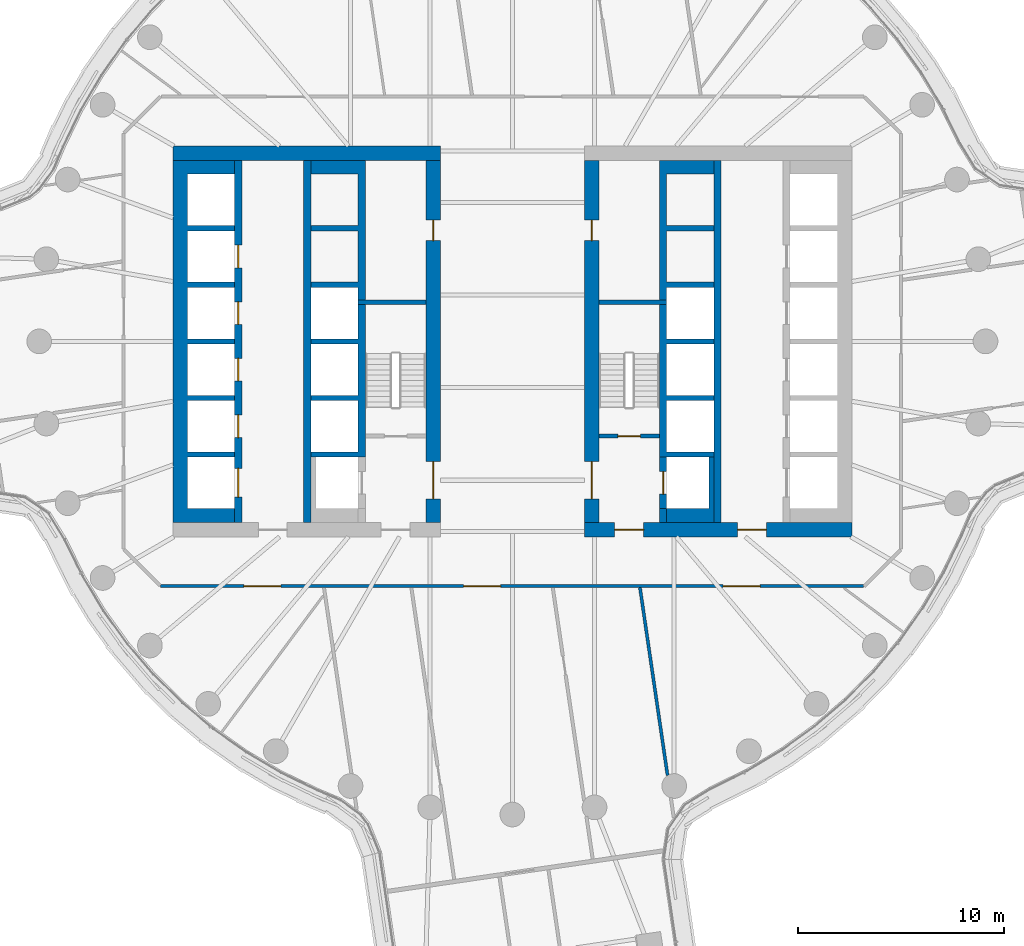
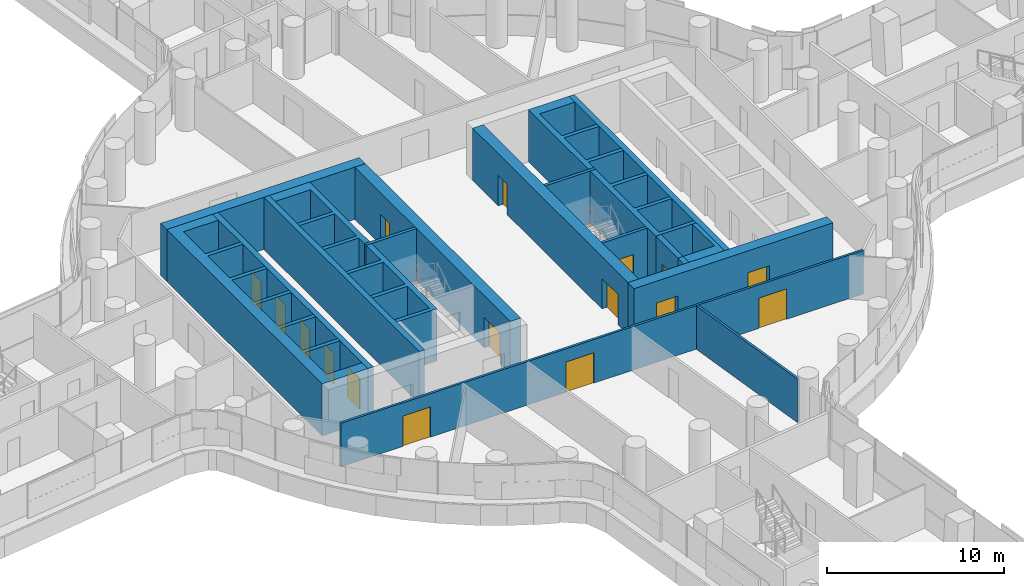
# One storey, part 21 of 31: 18 walls, 16 doors, 16 openings.
"""IFC4 building model written with IfcOpenShell, lengths in metres."""

from ifc_helpers import new_model, si_unit, direction, frame, frame_2d, origin, place, context, subcontext, project, spatial, polyline, rectangle, outline, extrude, material, layer, layer_set, type_object, element, fill, save


model = new_model("IFC4")

# Units and contexts
model_context = context("Model", 3, precision=1e-05, world=origin(), true_north=direction((0.0, 1.0)))
body_context = subcontext(model_context, "Body", "Model", "MODEL_VIEW")
ifc_project = project(units=[si_unit("LENGTHUNIT", "METRE"), si_unit("AREAUNIT", "SQUARE_METRE"), si_unit("VOLUMEUNIT", "CUBIC_METRE"), si_unit("PLANEANGLEUNIT", "RADIAN"), si_unit("MASSUNIT", "GRAM", prefix="KILO")], contexts=[model_context])

# Site, building, storey
site_placement = place(None, origin())
site = spatial("IfcSite", under=ifc_project, at=site_placement, CompositionType="ELEMENT")
building_placement = place(site_placement, origin())
building = spatial("IfcBuilding", under=site, at=building_placement, Name="Tamarind Cross Interchange Tower", CompositionType="ELEMENT")
storey_placement = place(building_placement, frame((0.0, 0.0, 64.0)))
storey = spatial("IfcBuildingStorey", under=building, at=storey_placement, Name="L14", CompositionType="ELEMENT", Elevation=64.0)

# Walls
ifc_material_1 = material(Name="Concrete C80", Category="concrete")
ifc_layer_1 = layer(ifc_material_1, 0.699951171875)
ifc_layer_set_1 = layer_set([ifc_layer_1], Name="Concrete C80")
wall_type_1 = type_object("IfcWallType", Name="Core wall 700 mm Concrete C80", PredefinedType="SHEAR", material=ifc_layer_set_1)
wall_1_placement = place(storey_placement, origin())
element("IfcWall", 1, at=wall_1_placement, inside=storey, type_object=wall_type_1, Name="Core wall CWL-L14-W-A", PredefinedType="SHEAR", context=body_context, shape_type="SweptSolid", body=[
    extrude(outline(polyline([(-13.5, -8.800048828125), (-13.5, -8.125), (-15.800048828125, -8.125), (-15.800048828125, -5.625), (-13.5, -5.625), (-13.5, -5.375), (-15.800048828125, -5.375), (-15.800048828125, -2.875), (-13.5, -2.875), (-13.5, -2.625), (-15.800048828125, -2.625), (-15.800048828125, -0.125), (-13.5, -0.125), (-13.5, 0.125), (-15.800048828125, 0.125), (-15.800048828125, 2.625), (-13.5, 2.625), (-13.5, 2.875), (-15.800048828125, 2.875), (-15.800048828125, 5.375), (-13.5, 5.375), (-13.5, 5.625), (-15.800048828125, 5.625), (-15.800048828125, 8.125), (-13.5, 8.125), (-13.5, 8.800048828125), (-15.800048828125, 8.800048828125), (-16.5, 8.800048828125), (-16.5, -8.800048828125), (-15.800048828125, -8.800048828125), (-13.5, -8.800048828125)])), origin(), (0.0, 0.0, 1.0), 3.610107421875),
])
wall_2_placement = place(storey_placement, frame((-16.5, 9.14990234375, 0.0), z_axis=(0.0, 0.0, 1.0), x_axis=(1.0, 0.0, 0.0)))
element("IfcWall", 2, at=wall_2_placement, inside=storey, type_object=wall_type_1, Name="Core wall CWL-L14-W-NE", PredefinedType="SHEAR", context=body_context, shape_type="SweptSolid", body=[
    extrude(rectangle(XDim=13.0, YDim=0.699951171875, at=frame_2d((6.5, 0.0))), origin(), (0.0, 0.0, 1.0), 3.610107421875),
])

# Wall, openings, doors
wall_3_placement = place(storey_placement, frame((-3.85009765625, -8.800048828125, 0.0), z_axis=(0.0, 0.0, 1.0), x_axis=(0.0, 1.0, 0.0)))
wall_3 = element("IfcWall", 3, at=wall_3_placement, inside=storey, type_object=wall_type_1, Name="Core wall CWL-L14-W-IN", PredefinedType="SHEAR", context=body_context, shape_type="SweptSolid", body=[
    extrude(rectangle(XDim=17.60009765625, YDim=0.699951171875, at=frame_2d((8.800048828125, 0.0))), origin(), (0.0, 0.0, 1.0), 3.610107421875),
])
opening_1_placement = place(wall_3_placement, frame((1.14990234375, 0.0, 0.0)))
opening_1 = element("IfcOpeningElement", 4, at=opening_1_placement, cuts=wall_3, Name="Opening DCW4", PredefinedType="OPENING", context=body_context, shape_type="SweptSolid", body=[
    extrude(rectangle(XDim=1.800048828125, YDim=2.10009765625, at=frame_2d((0.89990234375, 1.050048828125))), frame((0.0, 0.35986328125, 0.0), z_axis=(0.0, -1.0, 0.0), x_axis=(1.0, 0.0, 0.0)), (0.0, 0.0, 1.0), 0.719970703125),
])
opening_2_placement = place(wall_3_placement, frame((13.699951171875, 0.0, 0.0)))
opening_2 = element("IfcOpeningElement", 5, at=opening_2_placement, cuts=wall_3, Name="Opening DCW5", PredefinedType="OPENING", context=body_context, shape_type="SweptSolid", body=[
    extrude(rectangle(XDim=1.0, YDim=2.10009765625, at=frame_2d((0.5, 1.050048828125))), frame((0.0, 0.35986328125, 0.0), z_axis=(0.0, -1.0, 0.0), x_axis=(1.0, 0.0, 0.0)), (0.0, 0.0, 1.0), 0.719970703125),
])
ifc_material_2 = material(Name="Steel, fire-resisting", Category="steel")
door_type_1 = type_object("IfcDoorType", Name="Core fire door 1000 x 2100 FD90", OperationType="SINGLE_SWING_LEFT", PredefinedType="DOOR", material=ifc_material_2)
door_1_placement = place(opening_2_placement, origin())
door_1 = element("IfcDoor", 6, at=door_1_placement, inside=storey, type_object=door_type_1, Name="L14 riser room door", OperationType="SINGLE_SWING_LEFT", OverallHeight=2.10009765625, OverallWidth=1.0, PredefinedType="DOOR", context=body_context, shape_type="SweptSolid", body=[
    extrude(rectangle(XDim=1.0, YDim=2.10009765625, at=frame_2d((0.5, 1.050048828125))), frame((0.0, 0.02490234375, 0.0), z_axis=(0.0, -1.0, 0.0), x_axis=(1.0, 0.0, 0.0)), (0.0, 0.0, 1.0), 0.050048828125),
])
fill(opening_2, door_1)
door_type_2 = type_object("IfcDoorType", Name="Core fire door 1800 x 2100 FD90", OperationType="SINGLE_SWING_LEFT", PredefinedType="DOOR", material=ifc_material_2)
door_2_placement = place(opening_1_placement, origin())
door_2 = element("IfcDoor", 7, at=door_2_placement, inside=storey, type_object=door_type_2, Name="L14 firefighting lobby door", OperationType="SINGLE_SWING_LEFT", OverallHeight=2.10009765625, OverallWidth=1.800048828125, PredefinedType="DOOR", context=body_context, shape_type="SweptSolid", body=[
    extrude(rectangle(XDim=1.800048828125, YDim=2.10009765625, at=frame_2d((0.89990234375, 1.050048828125))), frame((0.0, 0.02490234375, 0.0), z_axis=(0.0, -1.0, 0.0), x_axis=(1.0, 0.0, 0.0)), (0.0, 0.0, 1.0), 0.050048828125),
])
fill(opening_1, door_2)

wall_4_placement = place(storey_placement, frame((16.5, -9.14990234375, 0.0), z_axis=(0.0, 0.0, 1.0), x_axis=(-1.0, 0.0, 0.0)))
wall_4 = element("IfcWall", 8, at=wall_4_placement, inside=storey, type_object=wall_type_1, Name="Core wall CWL-L14-E-S", PredefinedType="SHEAR", context=body_context, shape_type="SweptSolid", body=[
    extrude(rectangle(XDim=13.0, YDim=0.699951171875, at=frame_2d((6.5, 0.0))), origin(), (0.0, 0.0, 1.0), 3.610107421875),
])
opening_3_placement = place(wall_4_placement, frame((4.14990234375, 0.0, 0.0)))
opening_3 = element("IfcOpeningElement", 9, at=opening_3_placement, cuts=wall_4, Name="Opening DCE1", PredefinedType="OPENING", context=body_context, shape_type="SweptSolid", body=[
    extrude(rectangle(XDim=1.39990234375, YDim=2.10009765625, at=frame_2d((0.699951171875, 1.050048828125))), frame((0.0, 0.35986328125, 0.0), z_axis=(0.0, -1.0, 0.0), x_axis=(1.0, 0.0, 0.0)), (0.0, 0.0, 1.0), 0.719970703125),
])
opening_4_placement = place(wall_4_placement, frame((10.125, 0.0, 0.0)))
opening_4 = element("IfcOpeningElement", 10, at=opening_4_placement, cuts=wall_4, Name="Opening DCEF", PredefinedType="OPENING", context=body_context, shape_type="SweptSolid", body=[
    extrude(rectangle(XDim=1.39990234375, YDim=2.10009765625, at=frame_2d((0.699951171875, 1.050048828125))), frame((0.0, 0.35986328125, 0.0), z_axis=(0.0, -1.0, 0.0), x_axis=(1.0, 0.0, 0.0)), (0.0, 0.0, 1.0), 0.719970703125),
])
door_type_3 = type_object("IfcDoorType", Name="Core fire door 1400 x 2100 FD90", OperationType="SINGLE_SWING_LEFT", PredefinedType="DOOR", material=ifc_material_2)
door_3_placement = place(opening_3_placement, origin())
door_3 = element("IfcDoor", 11, at=door_3_placement, inside=storey, type_object=door_type_3, Name="L14 lift lobby door", OperationType="SINGLE_SWING_LEFT", OverallHeight=2.10009765625, OverallWidth=1.39990234375, PredefinedType="DOOR", context=body_context, shape_type="SweptSolid", body=[
    extrude(rectangle(XDim=1.39990234375, YDim=2.10009765625, at=frame_2d((0.699951171875, 1.050048828125))), frame((0.0, 0.02490234375, 0.0), z_axis=(0.0, -1.0, 0.0), x_axis=(1.0, 0.0, 0.0)), (0.0, 0.0, 1.0), 0.050048828125),
])
fill(opening_3, door_3)
door_4_placement = place(opening_4_placement, origin())
door_4 = element("IfcDoor", 12, at=door_4_placement, inside=storey, type_object=door_type_3, Name="L14 firefighting lobby end door", OperationType="SINGLE_SWING_LEFT", OverallHeight=2.10009765625, OverallWidth=1.39990234375, PredefinedType="DOOR", context=body_context, shape_type="SweptSolid", body=[
    extrude(rectangle(XDim=1.39990234375, YDim=2.10009765625, at=frame_2d((0.699951171875, 1.050048828125))), frame((0.0, 0.02490234375, 0.0), z_axis=(0.0, -1.0, 0.0), x_axis=(1.0, 0.0, 0.0)), (0.0, 0.0, 1.0), 0.050048828125),
])
fill(opening_4, door_4)

wall_5_placement = place(storey_placement, frame((3.85009765625, -8.800048828125, 0.0), z_axis=(0.0, 0.0, 1.0), x_axis=(0.0, 1.0, 0.0)))
wall_5 = element("IfcWall", 13, at=wall_5_placement, inside=storey, type_object=wall_type_1, Name="Core wall CWL-L14-E-IN", PredefinedType="SHEAR", context=body_context, shape_type="SweptSolid", body=[
    extrude(rectangle(XDim=17.60009765625, YDim=0.699951171875, at=frame_2d((8.800048828125, 0.0))), origin(), (0.0, 0.0, 1.0), 3.610107421875),
])
opening_5_placement = place(wall_5_placement, frame((1.14990234375, 0.0, 0.0)))
opening_5 = element("IfcOpeningElement", 14, at=opening_5_placement, cuts=wall_5, Name="Opening DCE4", PredefinedType="OPENING", context=body_context, shape_type="SweptSolid", body=[
    extrude(rectangle(XDim=1.800048828125, YDim=2.10009765625, at=frame_2d((0.89990234375, 1.050048828125))), frame((0.0, 0.35986328125, 0.0), z_axis=(0.0, -1.0, 0.0), x_axis=(1.0, 0.0, 0.0)), (0.0, 0.0, 1.0), 0.719970703125),
])
opening_6_placement = place(wall_5_placement, frame((13.699951171875, 0.0, 0.0)))
opening_6 = element("IfcOpeningElement", 15, at=opening_6_placement, cuts=wall_5, Name="Opening DCE5", PredefinedType="OPENING", context=body_context, shape_type="SweptSolid", body=[
    extrude(rectangle(XDim=1.0, YDim=2.10009765625, at=frame_2d((0.5, 1.050048828125))), frame((0.0, 0.35986328125, 0.0), z_axis=(0.0, -1.0, 0.0), x_axis=(1.0, 0.0, 0.0)), (0.0, 0.0, 1.0), 0.719970703125),
])
door_5_placement = place(opening_6_placement, origin())
door_5 = element("IfcDoor", 16, at=door_5_placement, inside=storey, type_object=door_type_1, Name="L14 riser room door", OperationType="SINGLE_SWING_LEFT", OverallHeight=2.10009765625, OverallWidth=1.0, PredefinedType="DOOR", context=body_context, shape_type="SweptSolid", body=[
    extrude(rectangle(XDim=1.0, YDim=2.10009765625, at=frame_2d((0.5, 1.050048828125))), frame((0.0, 0.02490234375, 0.0), z_axis=(0.0, -1.0, 0.0), x_axis=(1.0, 0.0, 0.0)), (0.0, 0.0, 1.0), 0.050048828125),
])
fill(opening_6, door_5)
door_6_placement = place(opening_5_placement, origin())
door_6 = element("IfcDoor", 17, at=door_6_placement, inside=storey, type_object=door_type_2, Name="L14 firefighting lobby door", OperationType="SINGLE_SWING_LEFT", OverallHeight=2.10009765625, OverallWidth=1.800048828125, PredefinedType="DOOR", context=body_context, shape_type="SweptSolid", body=[
    extrude(rectangle(XDim=1.800048828125, YDim=2.10009765625, at=frame_2d((0.89990234375, 1.050048828125))), frame((0.0, 0.02490234375, 0.0), z_axis=(0.0, -1.0, 0.0), x_axis=(1.0, 0.0, 0.0)), (0.0, 0.0, 1.0), 0.050048828125),
])
fill(opening_5, door_6)

# Walls
ifc_layer_2 = layer(ifc_material_1, 0.199951171875)
ifc_layer_set_2 = layer_set([ifc_layer_2], Name="Concrete C80")
wall_type_2 = type_object("IfcWallType", Name="Core web wall 200 mm Concrete C80", PredefinedType="SHEAR", material=ifc_layer_set_2)
for number, where, z_axis, x_axis, name in (
    (18, (-7.5, 1.89990234375, 0.0), (0.0, 0.0, 1.0), (1.0, 0.0, 0.0), "Core wall CWL-L14-W-BD"),
    (19, (7.5, 1.89990234375, 0.0), (0.0, 0.0, 1.0), (-1.0, 0.0, 0.0), "Core wall CWL-L14-E-BD"),
):
    element("IfcWall", number, at=place(storey_placement, frame(where, z_axis=z_axis, x_axis=x_axis)), inside=storey, type_object=wall_type_2, Name=name, PredefinedType="SHEAR", context=body_context, shape_type="SweptSolid", body=[
        extrude(rectangle(XDim=3.300048828125, YDim=0.199951171875, at=frame_2d((1.64990234375, 0.0))), origin(), (0.0, 0.0, 1.0), 3.610107421875),
    ])
ifc_layer_3 = layer(ifc_material_1, 0.35009765625)
ifc_layer_set_3 = layer_set([ifc_layer_3], Name="Concrete C80")
wall_type_3 = type_object("IfcWallType", Name="Core web wall 350 mm Concrete C80", PredefinedType="SHEAR", material=ifc_layer_set_3)
wall_6_placement = place(storey_placement, origin())
element("IfcWall", 20, at=wall_6_placement, inside=storey, type_object=wall_type_3, Name="Core wall CWL-L14-W-BN", PredefinedType="SHEAR", context=body_context, shape_type="SweptSolid", body=[
    extrude(outline(polyline([(-9.800048828125, -5.375), (-9.800048828125, -5.625), (-7.5, -5.625), (-7.14990234375, -5.625), (-7.14990234375, 8.800048828125), (-7.5, 8.800048828125), (-9.800048828125, 8.800048828125), (-9.800048828125, 8.125), (-7.5, 8.125), (-7.5, 5.625), (-9.800048828125, 5.625), (-9.800048828125, 5.375), (-7.5, 5.375), (-7.5, 2.875), (-9.800048828125, 2.875), (-9.800048828125, 2.625), (-7.5, 2.625), (-7.5, 0.125), (-9.800048828125, 0.125), (-9.800048828125, -0.125), (-7.5, -0.125), (-7.5, -2.625), (-9.800048828125, -2.625), (-9.800048828125, -2.875), (-7.5, -2.875), (-7.5, -5.375), (-9.800048828125, -5.375)])), origin(), (0.0, 0.0, 1.0), 3.610107421875),
])

# Wall, openings, doors
wall_7_placement = place(storey_placement, frame((-13.324951171875, -8.800048828125, 0.0), z_axis=(0.0, 0.0, 1.0), x_axis=(0.0, 1.0, 0.0)))
wall_7 = element("IfcWall", 21, at=wall_7_placement, inside=storey, type_object=wall_type_3, Name="Core wall CWL-L14-W-LA", PredefinedType="SHEAR", context=body_context, shape_type="SweptSolid", body=[
    extrude(rectangle(XDim=17.60009765625, YDim=0.35009765625, at=frame_2d((8.800048828125, 0.0))), origin(), (0.0, 0.0, 1.0), 3.610107421875),
])
opening_7_placement = place(wall_7_placement, frame((1.22509765625, 0.0, 0.0)))
opening_7 = element("IfcOpeningElement", 22, at=opening_7_placement, cuts=wall_7, Name="Opening LD1L14", PredefinedType="OPENING", context=body_context, shape_type="SweptSolid", body=[
    extrude(rectangle(XDim=1.39990234375, YDim=2.10009765625, at=frame_2d((0.699951171875, 1.050048828125))), frame((0.0, 0.18505859375, 0.0), z_axis=(0.0, -1.0, 0.0), x_axis=(1.0, 0.0, 0.0)), (0.0, 0.0, 1.0), 0.3701171875),
])
opening_8_placement = place(wall_7_placement, frame((4.125, 0.0, 0.0)))
opening_8 = element("IfcOpeningElement", 23, at=opening_8_placement, cuts=wall_7, Name="Opening LD2L14", PredefinedType="OPENING", context=body_context, shape_type="SweptSolid", body=[
    extrude(rectangle(XDim=1.10009765625, YDim=2.10009765625, at=frame_2d((0.550048828125, 1.050048828125))), frame((0.0, 0.18505859375, 0.0), z_axis=(0.0, -1.0, 0.0), x_axis=(1.0, 0.0, 0.0)), (0.0, 0.0, 1.0), 0.3701171875),
])
opening_9_placement = place(wall_7_placement, frame((6.875, 0.0, 0.0)))
opening_9 = element("IfcOpeningElement", 24, at=opening_9_placement, cuts=wall_7, Name="Opening LD3L14", PredefinedType="OPENING", context=body_context, shape_type="SweptSolid", body=[
    extrude(rectangle(XDim=1.10009765625, YDim=2.10009765625, at=frame_2d((0.550048828125, 1.050048828125))), frame((0.0, 0.18505859375, 0.0), z_axis=(0.0, -1.0, 0.0), x_axis=(1.0, 0.0, 0.0)), (0.0, 0.0, 1.0), 0.3701171875),
])
opening_10_placement = place(wall_7_placement, frame((9.625, 0.0, 0.0)))
opening_10 = element("IfcOpeningElement", 25, at=opening_10_placement, cuts=wall_7, Name="Opening LD4L14", PredefinedType="OPENING", context=body_context, shape_type="SweptSolid", body=[
    extrude(rectangle(XDim=1.10009765625, YDim=2.10009765625, at=frame_2d((0.550048828125, 1.050048828125))), frame((0.0, 0.18505859375, 0.0), z_axis=(0.0, -1.0, 0.0), x_axis=(1.0, 0.0, 0.0)), (0.0, 0.0, 1.0), 0.3701171875),
])
opening_11_placement = place(wall_7_placement, frame((12.375, 0.0, 0.0)))
opening_11 = element("IfcOpeningElement", 26, at=opening_11_placement, cuts=wall_7, Name="Opening LD5L14", PredefinedType="OPENING", context=body_context, shape_type="SweptSolid", body=[
    extrude(rectangle(XDim=1.10009765625, YDim=2.10009765625, at=frame_2d((0.550048828125, 1.050048828125))), frame((0.0, 0.18505859375, 0.0), z_axis=(0.0, -1.0, 0.0), x_axis=(1.0, 0.0, 0.0)), (0.0, 0.0, 1.0), 0.3701171875),
])
ifc_material_3 = material(Name="Stainless steel panel", Category="steel")
door_type_4 = type_object("IfcDoorType", Name="Lift landing door 1100 x 2100 E 120", OperationType="SLIDING_TO_LEFT", PredefinedType="DOOR", material=ifc_material_3)
door_7_placement = place(opening_8_placement, origin())
door_7 = element("IfcDoor", 27, at=door_7_placement, inside=storey, type_object=door_type_4, Name="L14 landing door LF2", OperationType="SLIDING_TO_LEFT", OverallHeight=2.10009765625, OverallWidth=1.10009765625, PredefinedType="DOOR", context=body_context, shape_type="SweptSolid", body=[
    extrude(rectangle(XDim=1.10009765625, YDim=2.10009765625, at=frame_2d((0.550048828125, 1.050048828125))), frame((0.0, 0.02490234375, 0.0), z_axis=(0.0, -1.0, 0.0), x_axis=(1.0, 0.0, 0.0)), (0.0, 0.0, 1.0), 0.050048828125),
])
fill(opening_8, door_7)
door_8_placement = place(opening_9_placement, origin())
door_8 = element("IfcDoor", 28, at=door_8_placement, inside=storey, type_object=door_type_4, Name="L14 landing door LF3", OperationType="SLIDING_TO_LEFT", OverallHeight=2.10009765625, OverallWidth=1.10009765625, PredefinedType="DOOR", context=body_context, shape_type="SweptSolid", body=[
    extrude(rectangle(XDim=1.10009765625, YDim=2.10009765625, at=frame_2d((0.550048828125, 1.050048828125))), frame((0.0, 0.02490234375, 0.0), z_axis=(0.0, -1.0, 0.0), x_axis=(1.0, 0.0, 0.0)), (0.0, 0.0, 1.0), 0.050048828125),
])
fill(opening_9, door_8)
door_9_placement = place(opening_10_placement, origin())
door_9 = element("IfcDoor", 29, at=door_9_placement, inside=storey, type_object=door_type_4, Name="L14 landing door LF4", OperationType="SLIDING_TO_LEFT", OverallHeight=2.10009765625, OverallWidth=1.10009765625, PredefinedType="DOOR", context=body_context, shape_type="SweptSolid", body=[
    extrude(rectangle(XDim=1.10009765625, YDim=2.10009765625, at=frame_2d((0.550048828125, 1.050048828125))), frame((0.0, 0.02490234375, 0.0), z_axis=(0.0, -1.0, 0.0), x_axis=(1.0, 0.0, 0.0)), (0.0, 0.0, 1.0), 0.050048828125),
])
fill(opening_10, door_9)
door_10_placement = place(opening_11_placement, origin())
door_10 = element("IfcDoor", 30, at=door_10_placement, inside=storey, type_object=door_type_4, Name="L14 landing door LF5", OperationType="SLIDING_TO_LEFT", OverallHeight=2.10009765625, OverallWidth=1.10009765625, PredefinedType="DOOR", context=body_context, shape_type="SweptSolid", body=[
    extrude(rectangle(XDim=1.10009765625, YDim=2.10009765625, at=frame_2d((0.550048828125, 1.050048828125))), frame((0.0, 0.02490234375, 0.0), z_axis=(0.0, -1.0, 0.0), x_axis=(1.0, 0.0, 0.0)), (0.0, 0.0, 1.0), 0.050048828125),
])
fill(opening_11, door_10)
door_type_5 = type_object("IfcDoorType", Name="Lift landing door 1400 x 2100 E 120", OperationType="SLIDING_TO_LEFT", PredefinedType="DOOR", material=ifc_material_3)
door_11_placement = place(opening_7_placement, origin())
door_11 = element("IfcDoor", 31, at=door_11_placement, inside=storey, type_object=door_type_5, Name="L14 landing door LF1", OperationType="SLIDING_TO_LEFT", OverallHeight=2.10009765625, OverallWidth=1.39990234375, PredefinedType="DOOR", context=body_context, shape_type="SweptSolid", body=[
    extrude(rectangle(XDim=1.39990234375, YDim=2.10009765625, at=frame_2d((0.699951171875, 1.050048828125))), frame((0.0, 0.02490234375, 0.0), z_axis=(0.0, -1.0, 0.0), x_axis=(1.0, 0.0, 0.0)), (0.0, 0.0, 1.0), 0.050048828125),
])
fill(opening_7, door_11)

# Walls
wall_8_placement = place(storey_placement, frame((-9.97509765625, -8.800048828125, 0.0), z_axis=(0.0, 0.0, 1.0), x_axis=(0.0, 1.0, 0.0)))
element("IfcWall", 32, at=wall_8_placement, inside=storey, type_object=wall_type_3, Name="Core wall CWL-L14-W-LB", PredefinedType="SHEAR", context=body_context, shape_type="SweptSolid", body=[
    extrude(rectangle(XDim=17.60009765625, YDim=0.35009765625, at=frame_2d((8.800048828125, 0.0))), origin(), (0.0, 0.0, 1.0), 3.610107421875),
])
wall_9_placement = place(storey_placement, origin())
element("IfcWall", 33, at=wall_9_placement, inside=storey, type_object=wall_type_3, Name="Core wall CWL-L14-E-BN", PredefinedType="SHEAR", context=body_context, shape_type="SweptSolid", body=[
    extrude(outline(polyline([(9.800048828125, -5.375), (7.5, -5.375), (7.5, -2.875), (9.800048828125, -2.875), (9.800048828125, -2.625), (7.5, -2.625), (7.5, -0.125), (9.800048828125, -0.125), (9.800048828125, 0.125), (7.5, 0.125), (7.5, 2.625), (9.800048828125, 2.625), (9.800048828125, 2.875), (7.5, 2.875), (7.5, 5.375), (9.800048828125, 5.375), (9.800048828125, 5.625), (7.5, 5.625), (7.5, 8.125), (9.800048828125, 8.125), (9.800048828125, 8.800048828125), (7.5, 8.800048828125), (7.14990234375, 8.800048828125), (7.14990234375, -5.625), (7.5, -5.625), (9.800048828125, -5.625), (9.800048828125, -5.375)])), origin(), (0.0, 0.0, 1.0), 3.610107421875),
])
wall_10_placement = place(storey_placement, origin())
element("IfcWall", 34, at=wall_10_placement, inside=storey, type_object=wall_type_3, Name="Core wall CWL-L14-E-BS", PredefinedType="SHEAR", context=body_context, shape_type="SweptSolid", body=[
    extrude(outline(polyline([(7.5, -8.125), (7.5, -8.800048828125), (9.800048828125, -8.800048828125), (9.800048828125, -8.125), (9.800048828125, -5.625), (9.550048828125, -5.625), (9.550048828125, -8.125), (7.5, -8.125)])), origin(), (0.0, 0.0, 1.0), 3.610107421875),
])
wall_11_placement = place(storey_placement, frame((7.324951171875, -8.800048828125, 0.0), z_axis=(0.0, 0.0, 1.0), x_axis=(0.0, 1.0, 0.0)))
element("IfcWall", 35, at=wall_11_placement, inside=storey, type_object=wall_type_3, Name="Core wall CWL-L14-E-BW", PredefinedType="SHEAR", context=body_context, shape_type="SweptSolid", body=[
    extrude(rectangle(XDim=0.675048828125, YDim=0.35009765625, at=frame_2d((0.33740234375, 0.0))), origin(), (0.0, 0.0, 1.0), 3.610107421875),
])
wall_12_placement = place(storey_placement, frame((9.97509765625, -8.800048828125, 0.0), z_axis=(0.0, 0.0, 1.0), x_axis=(0.0, 1.0, 0.0)))
element("IfcWall", 36, at=wall_12_placement, inside=storey, type_object=wall_type_3, Name="Core wall CWL-L14-E-LB", PredefinedType="SHEAR", context=body_context, shape_type="SweptSolid", body=[
    extrude(rectangle(XDim=17.60009765625, YDim=0.35009765625, at=frame_2d((8.800048828125, 0.0))), origin(), (0.0, 0.0, 1.0), 3.610107421875),
])

# Wall, opening, door
wall_13_placement = place(storey_placement, frame((7.324951171875, -8.125, 0.0), z_axis=(0.0, 0.0, 1.0), x_axis=(0.0, 1.0, 0.0)))
wall_13 = element("IfcWall", 37, at=wall_13_placement, inside=storey, type_object=wall_type_3, Name="Core wall CWL-L14-E-FF", PredefinedType="SHEAR", context=body_context, shape_type="SweptSolid", body=[
    extrude(rectangle(XDim=2.5, YDim=0.35009765625, at=frame_2d((1.25, 0.0))), origin(), (0.0, 0.0, 1.0), 3.610107421875),
])
opening_12_placement = place(wall_13_placement, frame((0.699951171875, 0.0, 0.0)))
opening_12 = element("IfcOpeningElement", 38, at=opening_12_placement, cuts=wall_13, Name="Opening LD19L14", PredefinedType="OPENING", context=body_context, shape_type="SweptSolid", body=[
    extrude(rectangle(XDim=1.10009765625, YDim=2.10009765625, at=frame_2d((0.550048828125, 1.050048828125))), frame((0.0, 0.18505859375, 0.0), z_axis=(0.0, -1.0, 0.0), x_axis=(1.0, 0.0, 0.0)), (0.0, 0.0, 1.0), 0.3701171875),
])
door_12_placement = place(opening_12_placement, origin())
door_12 = element("IfcDoor", 39, at=door_12_placement, inside=storey, type_object=door_type_4, Name="L14 landing door LF19", OperationType="SLIDING_TO_LEFT", OverallHeight=2.10009765625, OverallWidth=1.10009765625, PredefinedType="DOOR", context=body_context, shape_type="SweptSolid", body=[
    extrude(rectangle(XDim=1.10009765625, YDim=2.10009765625, at=frame_2d((0.550048828125, 1.050048828125))), frame((0.0, 0.02490234375, 0.0), z_axis=(0.0, -1.0, 0.0), x_axis=(1.0, 0.0, 0.0)), (0.0, 0.0, 1.0), 0.050048828125),
])
fill(opening_12, door_12)

# Wall
ifc_material_4 = material(Name="Gypsum board partition on steel studs", Category="steel")
ifc_layer_4 = layer(ifc_material_4, 0.14990234375)
ifc_layer_set_4 = layer_set([ifc_layer_4], Name="Gypsum board partition on steel studs")
wall_type_4 = type_object("IfcWallType", Name="Partition 150 mm EI 120", PredefinedType="PARTITIONING", material=ifc_layer_set_4)
wall_14_placement = place(storey_placement, frame((6.203125, -11.969970703125, 0.0), z_axis=(0.0, 0.0, 1.0), x_axis=(0.145327213245, -0.98938364707, 0.0)))
element("IfcWall", 40, at=wall_14_placement, inside=storey, type_object=wall_type_4, Name="Partition L14-022", PredefinedType="PARTITIONING", context=body_context, shape_type="SweptSolid", body=[
    extrude(rectangle(XDim=9.2294921875, YDim=0.14990234375, at=frame_2d((4.61474609375, 0.0))), origin(), (0.0, 0.0, 1.0), 3.010009765625),
])

# Wall, openings, doors
wall_15_placement = place(storey_placement, frame((-17.10009765625, -11.89990234375, 0.0), z_axis=(0.0, 0.0, 1.0), x_axis=(1.0, 0.0, 0.0)))
wall_15 = element("IfcWall", 41, at=wall_15_placement, inside=storey, type_object=wall_type_4, Name="Partition L14-038", PredefinedType="PARTITIONING", context=body_context, shape_type="SweptSolid", body=[
    extrude(rectangle(XDim=34.1650390625, YDim=0.14990234375, at=frame_2d((17.08251953125, 0.0))), origin(), (0.0, 0.0, 1.0), 3.010009765625),
])
opening_13_placement = place(wall_15_placement, frame((14.72998046875, 0.0, 0.0)))
opening_13 = element("IfcOpeningElement", 42, at=opening_13_placement, cuts=wall_15, Name="Opening D17", PredefinedType="OPENING", context=body_context, shape_type="SweptSolid", body=[
    extrude(rectangle(XDim=1.800048828125, YDim=2.10009765625, at=frame_2d((0.89990234375, 1.050048828125))), frame((0.0, 0.0849609375, 0.0), z_axis=(0.0, -1.0, 0.0), x_axis=(1.0, 0.0, 0.0)), (0.0, 0.0, 1.0), 0.169921875),
])
opening_14_placement = place(wall_15_placement, frame((4.050048828125, 0.0, 0.0)))
opening_14 = element("IfcOpeningElement", 43, at=opening_14_placement, cuts=wall_15, Name="Opening D18", PredefinedType="OPENING", context=body_context, shape_type="SweptSolid", body=[
    extrude(rectangle(XDim=1.800048828125, YDim=2.10009765625, at=frame_2d((0.89990234375, 1.050048828125))), frame((0.0, 0.0849609375, 0.0), z_axis=(0.0, -1.0, 0.0), x_axis=(1.0, 0.0, 0.0)), (0.0, 0.0, 1.0), 0.169921875),
])
opening_15_placement = place(wall_15_placement, frame((27.347900390625, 0.0, 0.0)))
opening_15 = element("IfcOpeningElement", 44, at=opening_15_placement, cuts=wall_15, Name="Opening D19", PredefinedType="OPENING", context=body_context, shape_type="SweptSolid", body=[
    extrude(rectangle(XDim=1.800048828125, YDim=2.10009765625, at=frame_2d((0.89990234375, 1.050048828125))), frame((0.0, 0.0849609375, 0.0), z_axis=(0.0, -1.0, 0.0), x_axis=(1.0, 0.0, 0.0)), (0.0, 0.0, 1.0), 0.169921875),
])
ifc_material_5 = material(Name="Fire-resisting door set")
door_type_6 = type_object("IfcDoorType", Name="Interior door 1800 x 2100 FD60S", OperationType="DOUBLE_DOOR_SINGLE_SWING", PredefinedType="DOOR", material=ifc_material_5)
door_13_placement = place(opening_13_placement, origin())
door_13 = element("IfcDoor", 45, at=door_13_placement, inside=storey, type_object=door_type_6, Name="Door D17", OperationType="DOUBLE_DOOR_SINGLE_SWING", OverallHeight=2.10009765625, OverallWidth=1.800048828125, PredefinedType="DOOR", context=body_context, shape_type="SweptSolid", body=[
    extrude(rectangle(XDim=1.800048828125, YDim=2.10009765625, at=frame_2d((0.89990234375, 1.050048828125))), frame((0.0, 0.02490234375, 0.0), z_axis=(0.0, -1.0, 0.0), x_axis=(1.0, 0.0, 0.0)), (0.0, 0.0, 1.0), 0.050048828125),
])
fill(opening_13, door_13)
door_14_placement = place(opening_14_placement, frame((1.800048828125, 0.0, 0.0), z_axis=(0.0, 0.0, 1.0), x_axis=(-1.0, 0.0, 0.0)))
door_14 = element("IfcDoor", 46, at=door_14_placement, inside=storey, type_object=door_type_6, Name="Door D18", OperationType="DOUBLE_DOOR_SINGLE_SWING", OverallHeight=2.10009765625, OverallWidth=1.800048828125, PredefinedType="DOOR", context=body_context, shape_type="SweptSolid", body=[
    extrude(rectangle(XDim=1.800048828125, YDim=2.10009765625, at=frame_2d((0.89990234375, 1.050048828125))), frame((0.0, 0.02490234375, 0.0), z_axis=(0.0, -1.0, 0.0), x_axis=(1.0, 0.0, 0.0)), (0.0, 0.0, 1.0), 0.050048828125),
])
fill(opening_14, door_14)
door_15_placement = place(opening_15_placement, frame((1.800048828125, 0.0, 0.0), z_axis=(0.0, 0.0, 1.0), x_axis=(-1.0, 0.0, 0.0)))
door_15 = element("IfcDoor", 47, at=door_15_placement, inside=storey, type_object=door_type_6, Name="Door D19", OperationType="DOUBLE_DOOR_SINGLE_SWING", OverallHeight=2.10009765625, OverallWidth=1.800048828125, PredefinedType="DOOR", context=body_context, shape_type="SweptSolid", body=[
    extrude(rectangle(XDim=1.800048828125, YDim=2.10009765625, at=frame_2d((0.89990234375, 1.050048828125))), frame((0.0, 0.02490234375, 0.0), z_axis=(0.0, -1.0, 0.0), x_axis=(1.0, 0.0, 0.0)), (0.0, 0.0, 1.0), 0.050048828125),
])
fill(opening_15, door_15)

# Wall, opening, door
ifc_material_6 = material(Name="Concrete C40", Category="concrete")
ifc_layer_5 = layer(ifc_material_6, 0.199951171875)
ifc_layer_set_5 = layer_set([ifc_layer_5], Name="Concrete C40")
wall_type_5 = type_object("IfcWallType", Name="Stair shaft wall 200 mm Concrete C40", PredefinedType="SHEAR", material=ifc_layer_set_5)
wall_16_placement = place(storey_placement, frame((7.14990234375, -4.60009765625, 0.0), z_axis=(0.0, 0.0, 1.0), x_axis=(-1.0, 0.0, 0.0)))
wall_16 = element("IfcWall", 48, at=wall_16_placement, inside=storey, type_object=wall_type_5, Name="Core wall CWL-L14-E-SD", PredefinedType="SHEAR", context=body_context, shape_type="SweptSolid", body=[
    extrude(rectangle(XDim=2.949951171875, YDim=0.199951171875, at=frame_2d((1.47509765625, 0.0))), origin(), (0.0, 0.0, 1.0), 3.610107421875),
])
opening_16_placement = place(wall_16_placement, frame((0.925048828125, 0.0, 0.0)))
opening_16 = element("IfcOpeningElement", 49, at=opening_16_placement, cuts=wall_16, Name="Opening DCE6", PredefinedType="OPENING", context=body_context, shape_type="SweptSolid", body=[
    extrude(rectangle(XDim=1.10009765625, YDim=2.10009765625, at=frame_2d((0.550048828125, 1.050048828125))), frame((0.0, 0.10986328125, 0.0), z_axis=(0.0, -1.0, 0.0), x_axis=(1.0, 0.0, 0.0)), (0.0, 0.0, 1.0), 0.219970703125),
])
door_type_7 = type_object("IfcDoorType", Name="Core fire door 1100 x 2100 FD90", OperationType="SINGLE_SWING_LEFT", PredefinedType="DOOR", material=ifc_material_2)
door_16_placement = place(opening_16_placement, origin())
door_16 = element("IfcDoor", 50, at=door_16_placement, inside=storey, type_object=door_type_7, Name="L14 stair door", OperationType="SINGLE_SWING_LEFT", OverallHeight=2.10009765625, OverallWidth=1.10009765625, PredefinedType="DOOR", context=body_context, shape_type="SweptSolid", body=[
    extrude(rectangle(XDim=1.10009765625, YDim=2.10009765625, at=frame_2d((0.550048828125, 1.050048828125))), frame((0.0, 0.02490234375, 0.0), z_axis=(0.0, -1.0, 0.0), x_axis=(1.0, 0.0, 0.0)), (0.0, 0.0, 1.0), 0.050048828125),
])
fill(opening_16, door_16)

save(model, "model.ifc")
